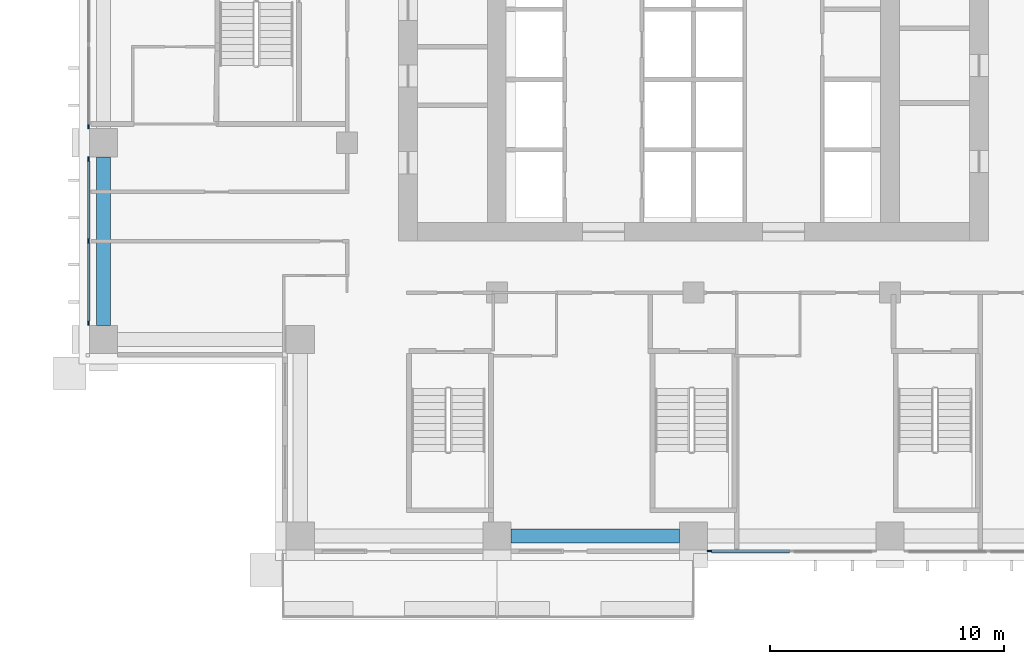
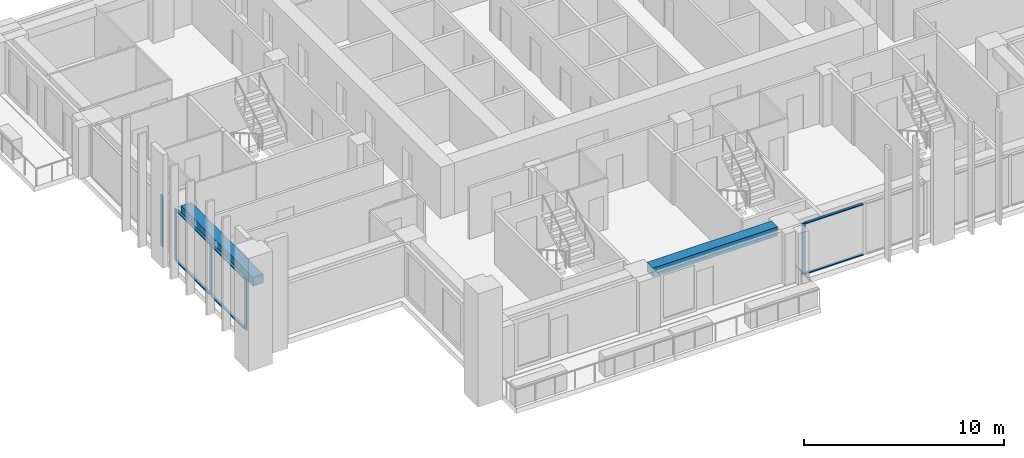
# One storey, part 2 of 17: 11 members, 2 beams, 3 elements without a shape of their own.
"""IFC4 building model written with IfcOpenShell, lengths in metres."""

from ifc_helpers import new_model, si_unit, direction, frame, origin, origin_2d, place, context, subcontext, project, spatial, rectangle, extrude, material, material_profile, profile_set, type_object, element, aggregate, save


model = new_model("IFC4")

# Units and contexts
model_context = context("Model", 3, precision=1e-05, world=origin(), true_north=direction((0.0, 1.0)))
body_context = subcontext(model_context, "Body", "Model", "MODEL_VIEW")
ifc_project = project(units=[si_unit("LENGTHUNIT", "METRE"), si_unit("AREAUNIT", "SQUARE_METRE"), si_unit("VOLUMEUNIT", "CUBIC_METRE"), si_unit("PLANEANGLEUNIT", "RADIAN"), si_unit("MASSUNIT", "GRAM", prefix="KILO")], contexts=[model_context])

# Site, building, storey
site_placement = place(None, origin())
site = spatial("IfcSite", under=ifc_project, at=site_placement, CompositionType="ELEMENT")
building_placement = place(site_placement, origin())
building = spatial("IfcBuilding", under=site, at=building_placement, Name="Vermilion Ogive Tower", CompositionType="ELEMENT")
storey_placement = place(building_placement, frame((0.0, 0.0, 111.449951171875)))
storey = spatial("IfcBuildingStorey", under=building, at=storey_placement, Name="L28", CompositionType="ELEMENT", Elevation=111.449951171875)

# Curtain wall, member
ifc_material_1 = material(Name="Low-iron laminated glazing in aluminium frame", Category="aluminium")
curtain_wall_type = type_object("IfcCurtainWallType", Name="Curtain wall CW7", PredefinedType="NOTDEFINED", material=ifc_material_1)
curtain_wall_1_placement = place(storey_placement, origin())
curtain_wall_1 = element("IfcCurtainWall", 1, at=curtain_wall_1_placement, inside=storey, type_object=curtain_wall_type, Name="Glazed skin S3", PredefinedType="NOTDEFINED")
ifc_material_2 = material(Name="Aluminium mullion", Category="aluminium")
ifc_material_profile_1 = material_profile(ifc_material_2, rectangle(XDim=0.06005859375, YDim=0.179931640625, at=origin_2d()), Name="AL 60x180")
ifc_profile_set_1 = profile_set([ifc_material_profile_1], Name="Aluminium mullion")
member_type_1 = type_object("IfcMemberType", Name="CW7 mullion 60x180", PredefinedType="MULLION", material=ifc_profile_set_1)
member_1_placement = place(storey_placement, frame((0.68994140625, -21.64990234375, 0.0), z_axis=(0.0, 0.0, 1.0), x_axis=(0.0, 1.0, 0.0)))
member_1 = element("IfcMember", 2, at=member_1_placement, type_object=member_type_1, Name="CW7-S3 mullion 1", PredefinedType="MULLION", context=body_context, shape_type="SweptSolid", body=[
    extrude(rectangle(XDim=0.06005859375, YDim=0.179931640625, at=origin_2d()), origin(), (0.0, 0.0, 1.0), 3.130126953125),
])

curtain_wall_2_placement = place(storey_placement, origin())
curtain_wall_2 = element("IfcCurtainWall", 3, at=curtain_wall_2_placement, inside=storey, type_object=curtain_wall_type, Name="Glazed skin W2", PredefinedType="NOTDEFINED")
member_2_placement = place(storey_placement, frame((-25.85009765625, -3.510009765625, 0.0), z_axis=(0.0, 0.0, 1.0), x_axis=(1.0, 0.0, 0.0)))
member_2 = element("IfcMember", 4, at=member_2_placement, type_object=member_type_1, Name="CW7-W2 mullion 3", PredefinedType="MULLION", context=body_context, shape_type="SweptSolid", body=[
    extrude(rectangle(XDim=0.06005859375, YDim=0.179931640625, at=origin_2d()), origin(), (0.0, 0.0, 1.0), 3.130126953125),
])
aggregate(curtain_wall_2, [member_2])

# Curtain wall, members
curtain_wall_3_placement = place(storey_placement, origin())
curtain_wall_3 = element("IfcCurtainWall", 5, at=curtain_wall_3_placement, inside=storey, type_object=curtain_wall_type, Name="Glazed skin W3", PredefinedType="NOTDEFINED")
member_3_placement = place(storey_placement, frame((-25.85009765625, -4.889892578125, 0.0), z_axis=(0.0, 0.0, 1.0), x_axis=(1.0, 0.0, 0.0)))
member_3 = element("IfcMember", 6, at=member_3_placement, type_object=member_type_1, Name="CW7-W3 mullion 1", PredefinedType="MULLION", context=body_context, shape_type="SweptSolid", body=[
    extrude(rectangle(XDim=0.06005859375, YDim=0.179931640625, at=origin_2d()), origin(), (0.0, 0.0, 1.0), 3.130126953125),
])
member_4_placement = place(storey_placement, frame((-25.85009765625, -8.39990234375, 0.0), z_axis=(0.0, 0.0, 1.0), x_axis=(1.0, 0.0, 0.0)))
member_4 = element("IfcMember", 7, at=member_4_placement, type_object=member_type_1, Name="CW7-W3 mullion 2", PredefinedType="MULLION", context=body_context, shape_type="SweptSolid", body=[
    extrude(rectangle(XDim=0.06005859375, YDim=0.179931640625, at=origin_2d()), origin(), (0.0, 0.0, 1.0), 3.130126953125),
])
member_5_placement = place(storey_placement, frame((-25.85009765625, -11.909912109375, 0.0), z_axis=(0.0, 0.0, 1.0), x_axis=(1.0, 0.0, 0.0)))
member_5 = element("IfcMember", 8, at=member_5_placement, type_object=member_type_1, Name="CW7-W3 mullion 3", PredefinedType="MULLION", context=body_context, shape_type="SweptSolid", body=[
    extrude(rectangle(XDim=0.06005859375, YDim=0.179931640625, at=origin_2d()), origin(), (0.0, 0.0, 1.0), 3.130126953125),
])

# Member
ifc_material_3 = material(Name="Aluminium transom", Category="aluminium")
ifc_material_profile_2 = material_profile(ifc_material_3, rectangle(XDim=0.139892578125, YDim=0.06005859375, at=origin_2d()), Name="AL 60x140")
ifc_profile_set_2 = profile_set([ifc_material_profile_2], Name="Aluminium transom")
member_type_2 = type_object("IfcMemberType", Name="CW7 transom 60x140", PredefinedType="USERDEFINED", material=ifc_profile_set_2)
member_6_placement = place(storey_placement, frame((0.780029296875, -21.64990234375, 0.030029296875), z_axis=(1.0, 0.0, 0.0), x_axis=(0.0, 1.0, 0.0)))
member_6 = element("IfcMember", 9, at=member_6_placement, type_object=member_type_2, Name="CW7-S3 transom 1.1", ObjectType="TRANSOM", PredefinedType="USERDEFINED", context=body_context, shape_type="SweptSolid", body=[
    extrude(rectangle(XDim=0.139892578125, YDim=0.06005859375, at=origin_2d()), origin(), (0.0, 0.0, 1.0), 3.330078125),
])

member_7_placement = place(storey_placement, frame((0.780029296875, -21.64990234375, 3.10009765625), z_axis=(1.0, 0.0, 0.0), x_axis=(0.0, 1.0, 0.0)))
member_7 = element("IfcMember", 10, at=member_7_placement, type_object=member_type_2, Name="CW7-S3 transom 1.2", ObjectType="TRANSOM", PredefinedType="USERDEFINED", context=body_context, shape_type="SweptSolid", body=[
    extrude(rectangle(XDim=0.139892578125, YDim=0.06005859375, at=origin_2d()), origin(), (0.0, 0.0, 1.0), 3.330078125),
])

aggregate(curtain_wall_1, [member_1, member_6, member_7])

member_8_placement = place(storey_placement, frame((-25.85009765625, -4.97998046875, 0.030029296875), z_axis=(0.0, -1.0, 0.0), x_axis=(1.0, 0.0, 0.0)))
member_8 = element("IfcMember", 11, at=member_8_placement, type_object=member_type_2, Name="CW7-W3 transom 1.1", ObjectType="TRANSOM", PredefinedType="USERDEFINED", context=body_context, shape_type="SweptSolid", body=[
    extrude(rectangle(XDim=0.139892578125, YDim=0.06005859375, at=origin_2d()), origin(), (0.0, 0.0, 1.0), 3.330078125),
])

member_9_placement = place(storey_placement, frame((-25.85009765625, -4.97998046875, 3.10009765625), z_axis=(0.0, -1.0, 0.0), x_axis=(1.0, 0.0, 0.0)))
member_9 = element("IfcMember", 12, at=member_9_placement, type_object=member_type_2, Name="CW7-W3 transom 1.2", ObjectType="TRANSOM", PredefinedType="USERDEFINED", context=body_context, shape_type="SweptSolid", body=[
    extrude(rectangle(XDim=0.139892578125, YDim=0.06005859375, at=origin_2d()), origin(), (0.0, 0.0, 1.0), 3.330078125),
])

member_10_placement = place(storey_placement, frame((-25.85009765625, -8.489990234375, 0.030029296875), z_axis=(0.0, -1.0, 0.0), x_axis=(1.0, 0.0, 0.0)))
member_10 = element("IfcMember", 13, at=member_10_placement, type_object=member_type_2, Name="CW7-W3 transom 2.1", ObjectType="TRANSOM", PredefinedType="USERDEFINED", context=body_context, shape_type="SweptSolid", body=[
    extrude(rectangle(XDim=0.139892578125, YDim=0.06005859375, at=origin_2d()), origin(), (0.0, 0.0, 1.0), 3.330078125),
])

member_11_placement = place(storey_placement, frame((-25.85009765625, -8.489990234375, 3.10009765625), z_axis=(0.0, -1.0, 0.0), x_axis=(1.0, 0.0, 0.0)))
member_11 = element("IfcMember", 14, at=member_11_placement, type_object=member_type_2, Name="CW7-W3 transom 2.2", ObjectType="TRANSOM", PredefinedType="USERDEFINED", context=body_context, shape_type="SweptSolid", body=[
    extrude(rectangle(XDim=0.139892578125, YDim=0.06005859375, at=origin_2d()), origin(), (0.0, 0.0, 1.0), 3.330078125),
])

aggregate(curtain_wall_3, [member_3, member_4, member_5, member_8, member_9, member_10, member_11])

# Beams
ifc_material_4 = material(Name="Concrete B45", Category="concrete")
ifc_material_profile_3 = material_profile(ifc_material_4, rectangle(XDim=0.60009765625, YDim=0.550048828125, at=origin_2d()), Name="600 x 550")
ifc_profile_set_3 = profile_set([ifc_material_profile_3], Name="Concrete B45")
beam_type = type_object("IfcBeamType", Name="Edge beam 600 x 550 B45", PredefinedType="BEAM", material=ifc_profile_set_3)
for number, where, z_axis, x_axis, name in (
    (15, (-7.800048828125, -21.0, 2.85498046875), (1.0, 0.0, 0.0), (0.0, 1.0, 0.0), "L28-EB-2"),
    (16, (-25.199951171875, -4.800048828125, 2.85498046875), (0.0, -1.0, 0.0), (1.0, 0.0, 0.0), "L28-EB-16"),
):
    element("IfcBeam", number, at=place(storey_placement, frame(where, z_axis=z_axis, x_axis=x_axis)), inside=storey, type_object=beam_type, Name=name, PredefinedType="BEAM", context=body_context, shape_type="SweptSolid", body=[
        extrude(rectangle(XDim=0.60009765625, YDim=0.550048828125, at=origin_2d()), origin(), (0.0, 0.0, 1.0), 7.199951171875),
    ])

save(model, "model.ifc")
